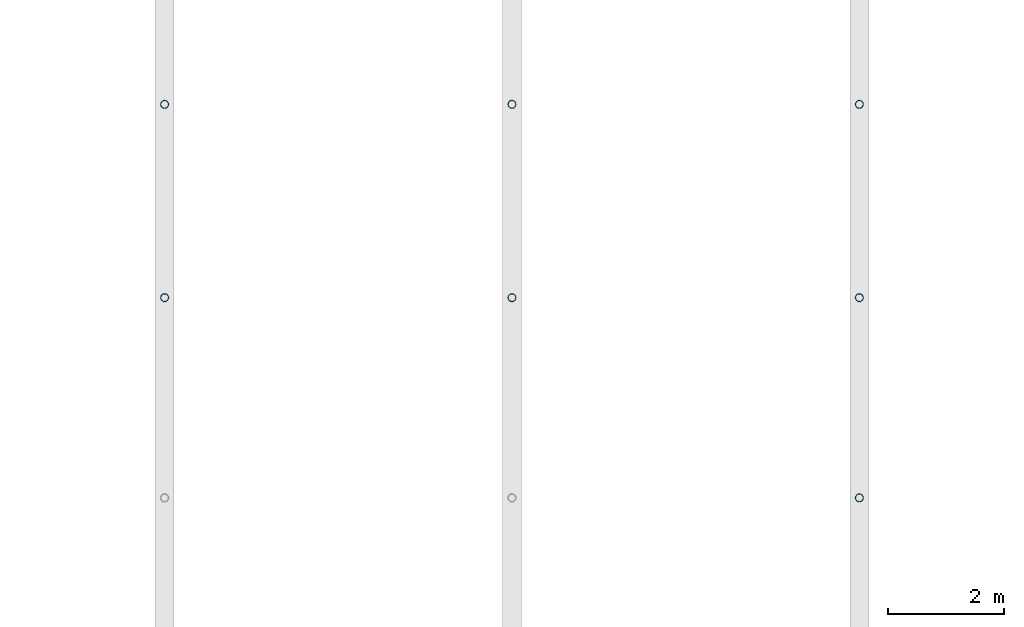
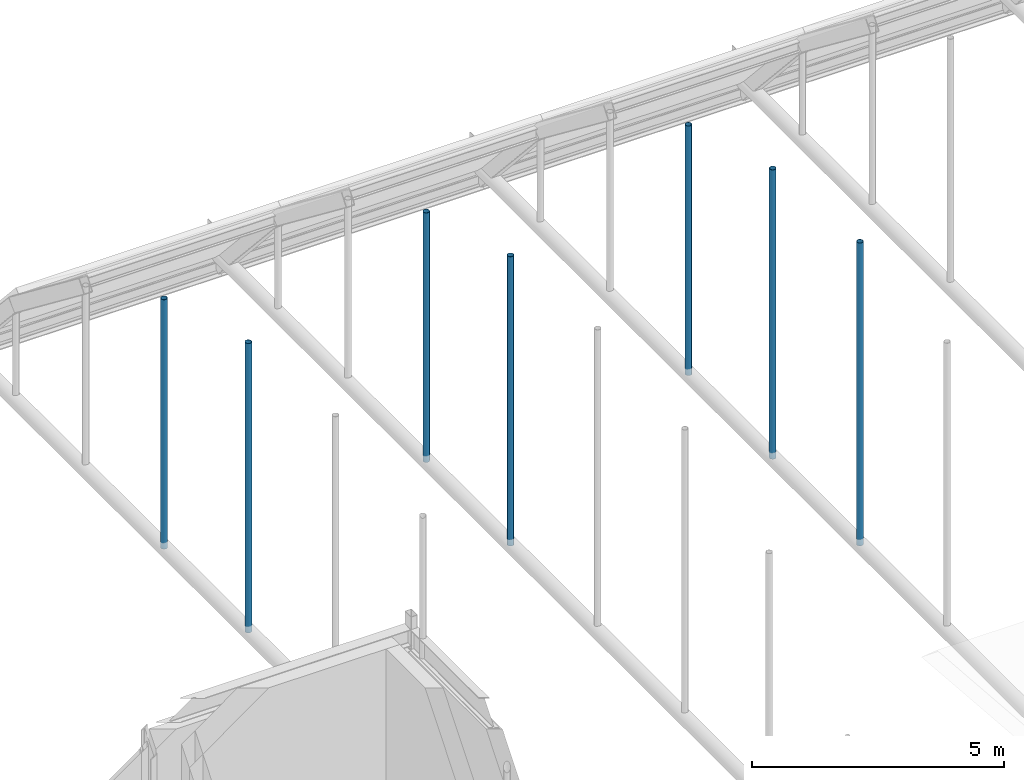
# One storey, part 35 of 116: 7 members.
"""IFC4 building model written with IfcOpenShell, lengths in metres."""

import ifcopenshell
import ifcopenshell.guid

model = None  # the IFC model being written
_history = None  # IfcOwnerHistory: only IFC2X3 demands one
_inside = {}  # id of a spatial element -> (the spatial element, [elements in it])
_under = {}  # id of a project, library or spatial element -> (it, [spatial elements below it])
_declared = {}  # id of a project -> (the project, [libraries it declares])
_typed = {}  # id of a type object -> (the type object, [elements of that type])
_made_of = {}  # id of a material, layer set ... -> (it, [elements and type objects made of it])


def new_model(schema):
    """Start an empty IFC model of exactly this schema.

    Asked for "IFC4X3", IfcOpenShell would pick the latest addendum, in which some entities
    have other attributes; the version numbers below select the first issue.
    IFC2X3 requires an IfcOwnerHistory on every rooted entity: one is made here for all.
    """
    global model, _history
    if schema == "IFC4X3":
        model = ifcopenshell.file(schema_version=(4, 3, 0, 0))
    else:
        model = ifcopenshell.file(schema=schema)
    _inside.clear()
    _under.clear()
    _declared.clear()
    _typed.clear()
    _made_of.clear()
    _history = None
    if model.schema == "IFC2X3":
        org = make("IfcOrganization", Name="unknown")
        user = make(
            "IfcPersonAndOrganization",
            ThePerson=make("IfcPerson", FamilyName="unknown"),
            TheOrganization=org,
        )
        app = make(
            "IfcApplication",
            ApplicationDeveloper=org,
            Version="unknown",
            ApplicationFullName="unknown",
            ApplicationIdentifier="unknown",
        )
        _history = make(
            "IfcOwnerHistory",
            OwningUser=user,
            OwningApplication=app,
            ChangeAction="ADDED",
            CreationDate=0,
        )
    return model


def make(cls, **values):
    """One entity of the class cls with the attributes given. An attribute that is None is left unset."""
    return model.create_entity(
        cls, **{name: value for name, value in values.items() if value is not None}
    )


def rooted(cls, **values):
    """An entity with a GlobalId (a new one), such as an element, a storey or a relation."""
    return make(cls, GlobalId=ifcopenshell.guid.new(), OwnerHistory=_history, **values)


def si_unit(unit_type, name, prefix=None):
    """IfcSIUnit, for example si_unit("LENGTHUNIT", "METRE", prefix="MILLI")."""
    return make("IfcSIUnit", UnitType=unit_type, Prefix=prefix, Name=name)


def assignment(units):
    """IfcUnitAssignment: the units of a project."""
    return None if units is None else make("IfcUnitAssignment", Units=units)


def point(xyz):
    """IfcCartesianPoint."""
    return None if xyz is None else make("IfcCartesianPoint", Coordinates=xyz)


def direction(xyz):
    """IfcDirection."""
    return None if xyz is None else make("IfcDirection", DirectionRatios=xyz)


def frame(location, z_axis=None, x_axis=None):
    """IfcAxis2Placement3D, a coordinate frame: its origin and axes. An axis left out is left unset."""
    return make(
        "IfcAxis2Placement3D",
        Location=point(location),
        Axis=direction(z_axis),
        RefDirection=direction(x_axis),
    )


def frame_2d(location, x_axis=None):
    """IfcAxis2Placement2D, a coordinate frame in the plane: its origin and x axis."""
    return make(
        "IfcAxis2Placement2D", Location=point(location), RefDirection=direction(x_axis)
    )


def origin():
    """The frame at (0, 0, 0) with its axes left unset."""
    return frame((0.0, 0.0, 0.0))


def origin_2d():
    """The frame at (0, 0) in the plane with its x axis left unset."""
    return frame_2d((0.0, 0.0))


def place(relative_to, where):
    """IfcLocalPlacement: puts the frame where relative to a parent placement (None: the world)."""
    return make(
        "IfcLocalPlacement", PlacementRelTo=relative_to, RelativePlacement=where
    )


def context(
    kind, dimensions, precision=None, world=None, true_north=None, identifier=None
):
    """IfcGeometricRepresentationContext, for example the 3D "Model" context."""
    return make(
        "IfcGeometricRepresentationContext",
        ContextIdentifier=identifier,
        ContextType=kind,
        CoordinateSpaceDimension=dimensions,
        Precision=precision,
        WorldCoordinateSystem=world,
        TrueNorth=true_north,
    )


def subcontext(parent, identifier, kind, view, scale=None):
    """IfcGeometricRepresentationSubContext, for example "Body" below "Model"."""
    return make(
        "IfcGeometricRepresentationSubContext",
        ContextIdentifier=identifier,
        ContextType=kind,
        ParentContext=parent,
        TargetScale=scale,
        TargetView=view,
    )


def project(units=None, contexts=None):
    """IfcProject with its units and contexts."""
    return rooted(
        "IfcProject",
        Name="project",
        RepresentationContexts=contexts,
        UnitsInContext=assignment(units),
    )


def spatial(cls, under=None, at=None, **own):
    """A site, building, storey or space (cls), placed at a placement, below another one or the project."""
    s = rooted(cls, ObjectPlacement=at, **own)
    if under is not None:
        _under.setdefault(under.id(), (under, []))[1].append(s)
    return s


def profile(cls, at=None, kind="AREA", **sizes):
    """A parametric profile (cls). Its sizes go by their IFC names, for example OverallWidth=200.0."""
    return make(cls, ProfileType=kind, Position=at, **sizes)


def hollow_circle(**sizes):
    """IfcCircleHollowProfileDef."""
    return profile("IfcCircleHollowProfileDef", **sizes)


def extrude(swept, where, along, depth):
    """IfcExtrudedAreaSolid: the profile swept, set in the frame where, extruded along a direction by depth."""
    return make(
        "IfcExtrudedAreaSolid",
        SweptArea=swept,
        Position=where,
        ExtrudedDirection=direction(along),
        Depth=depth,
    )


def shape(context_of_items, identifier, shape_type, items):
    """IfcShapeRepresentation: the items that make up one representation, for example the "Body"."""
    return make(
        "IfcShapeRepresentation",
        ContextOfItems=context_of_items,
        RepresentationIdentifier=identifier,
        RepresentationType=shape_type,
        Items=items,
    )


def material(Name=None, Category=None):
    """IfcMaterial."""
    return make("IfcMaterial", Name=Name, Category=Category)


def material_profile(
    of_material, cross_section, Name=None, Category=None, Priority=None
):
    """IfcMaterialProfile: a cross section and its material."""
    return make(
        "IfcMaterialProfile",
        Name=Name,
        Material=of_material,
        Profile=cross_section,
        Priority=Priority,
        Category=Category,
    )


def profile_set(profiles, Name=None, composite=None):
    """IfcMaterialProfileSet."""
    return make(
        "IfcMaterialProfileSet",
        Name=Name,
        MaterialProfiles=profiles,
        CompositeProfile=composite,
    )


def made_of(thing, what):
    """Note that an element or type object is made of a material, layer set ...; save() writes the relation."""
    if what is not None:
        _made_of.setdefault(what.id(), (what, []))[1].append(thing)
    return thing


def type_object(cls, material=None, **own):
    """A type object (cls), such as IfcWallType, which elements share."""
    return made_of(rooted(cls, **own), material)


def element(
    cls,
    number,
    at=None,
    inside=None,
    cuts=None,
    type_object=None,
    material=None,
    context=None,
    identifier="Body",
    shape_type=None,
    held_by="IfcProductDefinitionShape",
    body=None,
    shapes=None,
    **own,
):
    """One element of the class cls, such as IfcWall. Its Tag is "e" and its number.

    at: its placement. inside: the storey or other place that contains it. cuts: it is an
    opening in that element (IfcRelVoidsElement). A single representation is given by context,
    identifier, shape_type and body (its items); several are given by shapes. held_by: the class
    of the entity that holds the representations. save() writes the other relations.
    """
    e = rooted(cls, Tag="e%d" % number, ObjectPlacement=at, **own)
    if body is not None:
        shapes = [shape(context, identifier, shape_type, body)]
    if shapes is not None:
        e.Representation = make(held_by, Representations=shapes)
    if inside is not None:
        _inside.setdefault(inside.id(), (inside, []))[1].append(e)
    if cuts is not None:
        rooted(
            "IfcRelVoidsElement", RelatingBuildingElement=cuts, RelatedOpeningElement=e
        )
    if type_object is not None:
        _typed.setdefault(type_object.id(), (type_object, []))[1].append(e)
    return made_of(e, material)


def aggregate(whole, parts):
    """IfcRelAggregates: a whole, such as a stair, and the parts it consists of."""
    return rooted("IfcRelAggregates", RelatingObject=whole, RelatedObjects=parts)


def save(model, path):
    """Write the relations noted so far, then the file.

    IfcRelAggregates (storeys below a building ...), IfcRelContainedInSpatialStructure (elements
    in a storey), IfcRelDefinesByType, IfcRelAssociatesMaterial and IfcRelDeclares: one each for
    every whole, place, type object, material and project.
    """
    for whole, parts in _under.values():
        aggregate(whole, parts)
    for where, things in _inside.values():
        rooted(
            "IfcRelContainedInSpatialStructure",
            RelatedElements=things,
            RelatingStructure=where,
        )
    for kind, things in _typed.values():
        rooted("IfcRelDefinesByType", RelatedObjects=things, RelatingType=kind)
    for what, things in _made_of.values():
        rooted("IfcRelAssociatesMaterial", RelatedObjects=things, RelatingMaterial=what)
    for by, libraries in _declared.values():
        rooted("IfcRelDeclares", RelatingContext=by, RelatedDefinitions=libraries)
    model.write(path)


model = new_model("IFC4")

# Units and contexts
model_context = context("Model", 3, precision=1e-05, world=origin(), true_north=direction((0.0, 1.0)))
body_context = subcontext(model_context, "Body", "Model", "MODEL_VIEW")
ifc_project = project(units=[si_unit("LENGTHUNIT", "METRE"), si_unit("AREAUNIT", "SQUARE_METRE"), si_unit("VOLUMEUNIT", "CUBIC_METRE"), si_unit("PLANEANGLEUNIT", "RADIAN"), si_unit("MASSUNIT", "GRAM", prefix="KILO")], contexts=[model_context])

# Site, building, storey
site_placement = place(None, origin())
site = spatial("IfcSite", under=ifc_project, at=site_placement, CompositionType="ELEMENT")
building_placement = place(site_placement, origin())
building = spatial("IfcBuilding", under=site, at=building_placement, Name="Varnakota Square Police Headquarters", CompositionType="ELEMENT")
storey_placement = place(building_placement, frame((0.0, 0.0, 9.300048828125)))
storey = spatial("IfcBuildingStorey", under=building, at=storey_placement, Name="L02", CompositionType="ELEMENT", Elevation=9.300048828125)

# Members
ifc_material = material(Name="Steel IS 2062 Grade 350", Category="steel")
ifc_material_profile = material_profile(ifc_material, hollow_circle(Radius=0.06982421875, WallThickness=0.006103515625, at=origin_2d()), Name="CHS 139.7x6.0")
ifc_profile_set = profile_set([ifc_material_profile], Name="Steel IS 2062 Grade 350")
member_type = type_object("IfcMemberType", Name="MEM-HNG-CHS139", PredefinedType="STRUT", material=ifc_profile_set)
member_1_placement = place(storey_placement, frame((54.0, 27.45751953125, -0.150146484375), z_axis=(0.0, 0.0, 1.0), x_axis=(1.0, 0.0, 0.0)))
element("IfcMember", 1, at=member_1_placement, inside=storey, type_object=member_type, Name="Barrel vault hanger strut V1-R01-N6", PredefinedType="STRUT", context=body_context, shape_type="SweptSolid", body=[
    extrude(hollow_circle(Radius=0.06982421875, WallThickness=0.006103515625, at=origin_2d()), origin(), (0.0, 0.0, 1.0), 7.0),
])
member_2_placement = place(storey_placement, frame((54.0, 30.79638671875, -0.150146484375), z_axis=(0.0, 0.0, 1.0), x_axis=(1.0, 0.0, 0.0)))
element("IfcMember", 2, at=member_2_placement, inside=storey, type_object=member_type, Name="Barrel vault hanger strut V1-R01-N7", PredefinedType="STRUT", context=body_context, shape_type="SweptSolid", body=[
    extrude(hollow_circle(Radius=0.06982421875, WallThickness=0.006103515625, at=origin_2d()), origin(), (0.0, 0.0, 1.0), 6.035400390625),
])
member_3_placement = place(storey_placement, frame((60.0, 27.45751953125, -0.150146484375), z_axis=(0.0, 0.0, 1.0), x_axis=(1.0, 0.0, 0.0)))
element("IfcMember", 3, at=member_3_placement, inside=storey, type_object=member_type, Name="Barrel vault hanger strut V1-R02-N6", PredefinedType="STRUT", context=body_context, shape_type="SweptSolid", body=[
    extrude(hollow_circle(Radius=0.06982421875, WallThickness=0.006103515625, at=origin_2d()), origin(), (0.0, 0.0, 1.0), 7.0),
])
member_4_placement = place(storey_placement, frame((60.0, 30.79638671875, -0.150146484375), z_axis=(0.0, 0.0, 1.0), x_axis=(1.0, 0.0, 0.0)))
element("IfcMember", 4, at=member_4_placement, inside=storey, type_object=member_type, Name="Barrel vault hanger strut V1-R02-N7", PredefinedType="STRUT", context=body_context, shape_type="SweptSolid", body=[
    extrude(hollow_circle(Radius=0.06982421875, WallThickness=0.006103515625, at=origin_2d()), origin(), (0.0, 0.0, 1.0), 6.035400390625),
])
member_5_placement = place(storey_placement, frame((66.0, 24.0, -0.150146484375), z_axis=(0.0, 0.0, 1.0), x_axis=(1.0, 0.0, 0.0)))
element("IfcMember", 5, at=member_5_placement, inside=storey, type_object=member_type, Name="Barrel vault hanger strut V1-R03-N5", PredefinedType="STRUT", context=body_context, shape_type="SweptSolid", body=[
    extrude(hollow_circle(Radius=0.06982421875, WallThickness=0.006103515625, at=origin_2d()), origin(), (0.0, 0.0, 1.0), 7.326416015625),
])
member_6_placement = place(storey_placement, frame((66.0, 27.45751953125, -0.150146484375), z_axis=(0.0, 0.0, 1.0), x_axis=(1.0, 0.0, 0.0)))
element("IfcMember", 6, at=member_6_placement, inside=storey, type_object=member_type, Name="Barrel vault hanger strut V1-R03-N6", PredefinedType="STRUT", context=body_context, shape_type="SweptSolid", body=[
    extrude(hollow_circle(Radius=0.06982421875, WallThickness=0.006103515625, at=origin_2d()), origin(), (0.0, 0.0, 1.0), 7.0),
])
member_7_placement = place(storey_placement, frame((66.0, 30.79638671875, -0.150146484375), z_axis=(0.0, 0.0, 1.0), x_axis=(1.0, 0.0, 0.0)))
element("IfcMember", 7, at=member_7_placement, inside=storey, type_object=member_type, Name="Barrel vault hanger strut V1-R03-N7", PredefinedType="STRUT", context=body_context, shape_type="SweptSolid", body=[
    extrude(hollow_circle(Radius=0.06982421875, WallThickness=0.006103515625, at=origin_2d()), origin(), (0.0, 0.0, 1.0), 6.035400390625),
])

save(model, "model.ifc")
